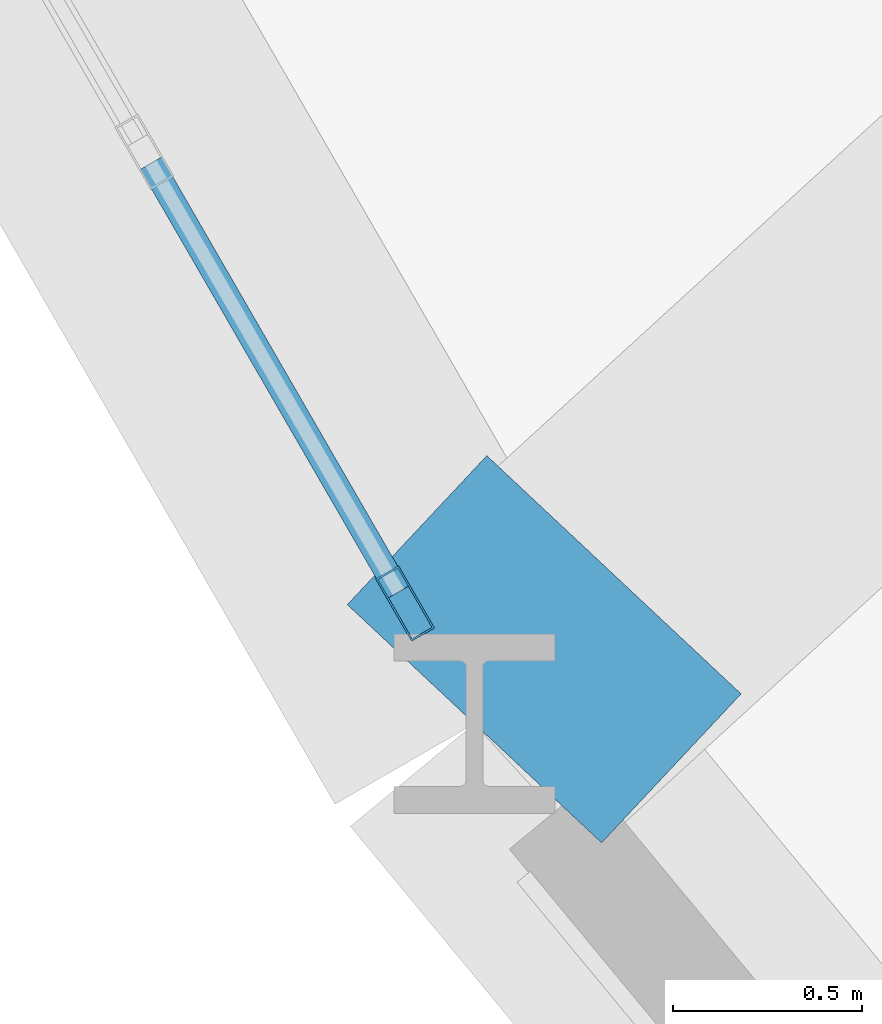
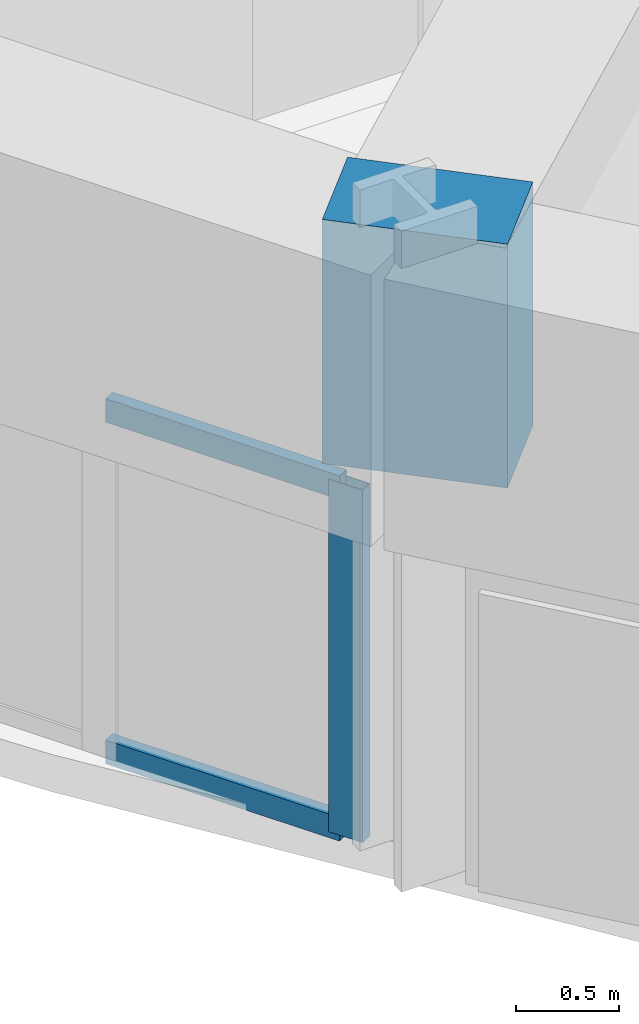
# One storey, part 2 of 20: 3 members, 1 beam, 1 element without a shape of its own.
"""IFC4 building model written with IfcOpenShell, lengths in metres."""

from ifc_helpers import new_model, si_unit, derived_unit, direction, frame, origin, origin_2d, place, context, subcontext, project, spatial, rectangle, hollow_rectangle, extrude, source, transform, mapped, material, layer, layer_set, material_profile, profile_set, type_object, element, aggregate, save


model = new_model("IFC4")

# Units and contexts
model_context = context("Model", 3, precision=1e-05, world=origin(), true_north=direction((0.0, 1.0)))
body_context = subcontext(model_context, "Body", "Model", "MODEL_VIEW")
ifc_project = project(units=[si_unit("LENGTHUNIT", "METRE"), si_unit("AREAUNIT", "SQUARE_METRE"), si_unit("VOLUMEUNIT", "CUBIC_METRE"), si_unit("PLANEANGLEUNIT", "RADIAN"), si_unit("MASSUNIT", "GRAM", prefix="KILO"), derived_unit("THERMALTRANSMITTANCEUNIT", [(si_unit("POWERUNIT", "WATT"), 1), (si_unit("LENGTHUNIT", "METRE"), -2), (si_unit("THERMODYNAMICTEMPERATUREUNIT", "KELVIN"), -1)])], contexts=[model_context])

# Site, building, storey
site_placement = place(None, origin())
site = spatial("IfcSite", under=ifc_project, at=site_placement, CompositionType="ELEMENT")
building_placement = place(site_placement, origin())
building = spatial("IfcBuilding", under=site, at=building_placement, Name="Korsvarv Bourse and Concert Hall", CompositionType="ELEMENT")
storey_placement = place(building_placement, frame((0.0, 0.0, 31.800048828125)))
storey = spatial("IfcBuildingStorey", under=building, at=storey_placement, Name="L07", CompositionType="ELEMENT", Elevation=31.800048828125)

# Beam
ifc_material_1 = material(Name="Concrete C50/60", Category="concrete")
ifc_material_profile_1 = material_profile(ifc_material_1, rectangle(XDim=0.919921875, YDim=1.43994140625, at=origin_2d()), Name="RC-BM 920x1440")
ifc_profile_set_1 = profile_set([ifc_material_profile_1], Name="Concrete C50/60")
beam_type = type_object("IfcBeamType", Name="BM-TR-144", PredefinedType="BEAM", material=ifc_profile_set_1)
shared_shape_1 = source(origin(), body_context, "Body", "SweptSolid", [
    extrude(rectangle(XDim=0.919921875, YDim=1.43994140625, at=origin_2d()), origin(), (0.0, 0.0, 1.0), 0.538818359375),
])
beam_placement = place(storey_placement, frame((21.06787109375, 18.02880859375, 2.9599609375), z_axis=(0.683624601749, 0.729833819362, 0.0), x_axis=(-0.729833819362, 0.683624601749, 0.0)))
element("IfcBeam", 1, at=beam_placement, inside=storey, type_object=beam_type, Name="L07 beam B-TR4", PredefinedType="BEAM", context=body_context, shape_type="MappedRepresentation", body=[
    mapped(shared_shape_1, transform((0.0, 0.0, 0.0), scale=1.0)),
])

# Curtain wall, members
ifc_material_2 = material(Name="Anodised aluminium and triple low-E glazing", Category="glass")
ifc_layer = layer(ifc_material_2, 0.219970703125)
ifc_layer_set = layer_set([ifc_layer], Name="Anodised aluminium and triple low-E glazing")
curtain_wall_type = type_object("IfcCurtainWallType", Name="CW-SYS-1", PredefinedType="NOTDEFINED", material=ifc_layer_set)
curtain_wall_placement = place(storey_placement, origin())
curtain_wall = element("IfcCurtainWall", 2, at=curtain_wall_placement, inside=storey, type_object=curtain_wall_type, Name="L07 CW1 curtain wall CW-L07-F07", PredefinedType="NOTDEFINED")
ifc_material_3 = material(Name="Extruded aluminium EN AW-6063 T66", Category="aluminium")
ifc_material_profile_2 = material_profile(ifc_material_3, hollow_rectangle(XDim=0.070068359375, YDim=0.18994140625, WallThickness=0.0048828125, at=origin_2d()), Name="ALU-M 70x190")
ifc_profile_set_2 = profile_set([ifc_material_profile_2], Name="Extruded aluminium EN AW-6063 T66")
member_type_1 = type_object("IfcMemberType", Name="CWM-190", PredefinedType="MULLION", material=ifc_profile_set_2)
shared_shape_2 = source(origin(), body_context, "Body", "SweptSolid", [
    extrude(hollow_rectangle(XDim=0.070068359375, YDim=0.18994140625, WallThickness=0.0048828125, at=origin_2d()), origin(), (0.0, 0.0, 1.0), 2.079833984375),
])
member_1_placement = place(storey_placement, frame((20.884765625, 18.34619140625, 0.0), z_axis=(0.0, 0.0, 1.0), x_axis=(0.866028517121, 0.499994607504, 0.0)))
member_1 = element("IfcMember", 3, at=member_1_placement, type_object=member_type_1, Name="CW1 mullion 12", PredefinedType="MULLION", context=body_context, shape_type="MappedRepresentation", body=[
    mapped(shared_shape_2, transform((0.0, 0.0, 0.0), scale=1.0)),
])
ifc_material_profile_3 = material_profile(ifc_material_3, hollow_rectangle(XDim=0.06494140625, YDim=0.139892578125, WallThickness=0.00390625, at=origin_2d()), Name="ALU-T 65x140")
ifc_profile_set_3 = profile_set([ifc_material_profile_3], Name="Extruded aluminium EN AW-6063 T66")
member_type_2 = type_object("IfcMemberType", Name="CWT-140", PredefinedType="USERDEFINED", material=ifc_profile_set_3)
shared_shape_3 = source(origin(), body_context, "Body", "SweptSolid", [
    extrude(hollow_rectangle(XDim=0.06494140625, YDim=0.139892578125, WallThickness=0.00390625, at=origin_2d()), origin(), (0.0, 0.0, 1.0), 1.306884765625),
])
member_2_placement = place(storey_placement, frame((20.213623046875, 19.50830078125, 0.032470703125), z_axis=(0.500056619841, -0.865992711836, 0.0), x_axis=(0.865992711836, 0.500056619841, 0.0)))
member_2 = element("IfcMember", 4, at=member_2_placement, type_object=member_type_2, Name="CW1 transom 11.1", ObjectType="TRANSOM", PredefinedType="USERDEFINED", context=body_context, shape_type="MappedRepresentation", body=[
    mapped(shared_shape_3, transform((0.0, 0.0, 0.0), scale=1.0)),
])
member_3_placement = place(storey_placement, frame((20.213623046875, 19.50830078125, 2.04736328125), z_axis=(0.500056619841, -0.865992711836, 0.0), x_axis=(0.865992711836, 0.500056619841, 0.0)))
member_3 = element("IfcMember", 5, at=member_3_placement, type_object=member_type_2, Name="CW1 transom 11.2", ObjectType="TRANSOM", PredefinedType="USERDEFINED", context=body_context, shape_type="MappedRepresentation", body=[
    mapped(shared_shape_3, transform((0.0, 0.0, 0.0), scale=1.0)),
])
aggregate(curtain_wall, [member_1, member_2, member_3])

save(model, "model.ifc")
